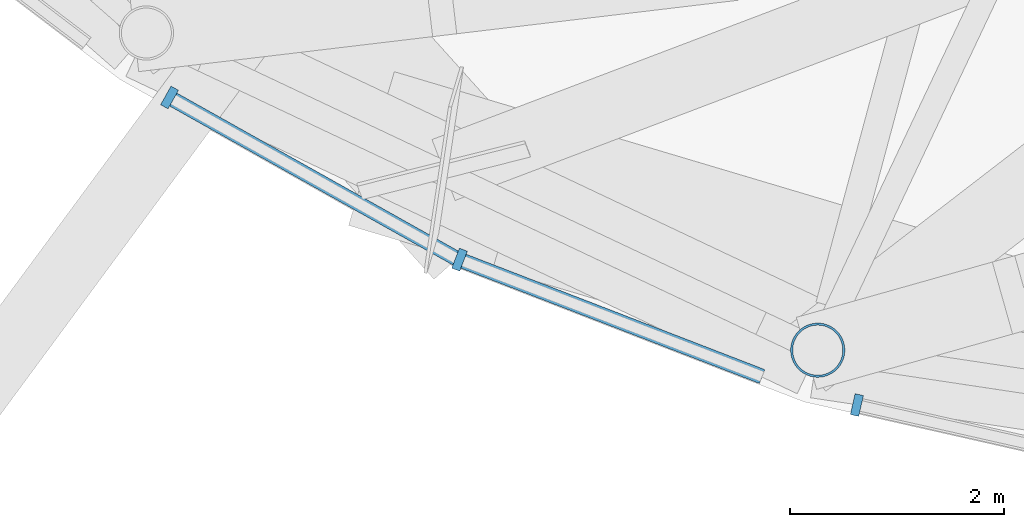
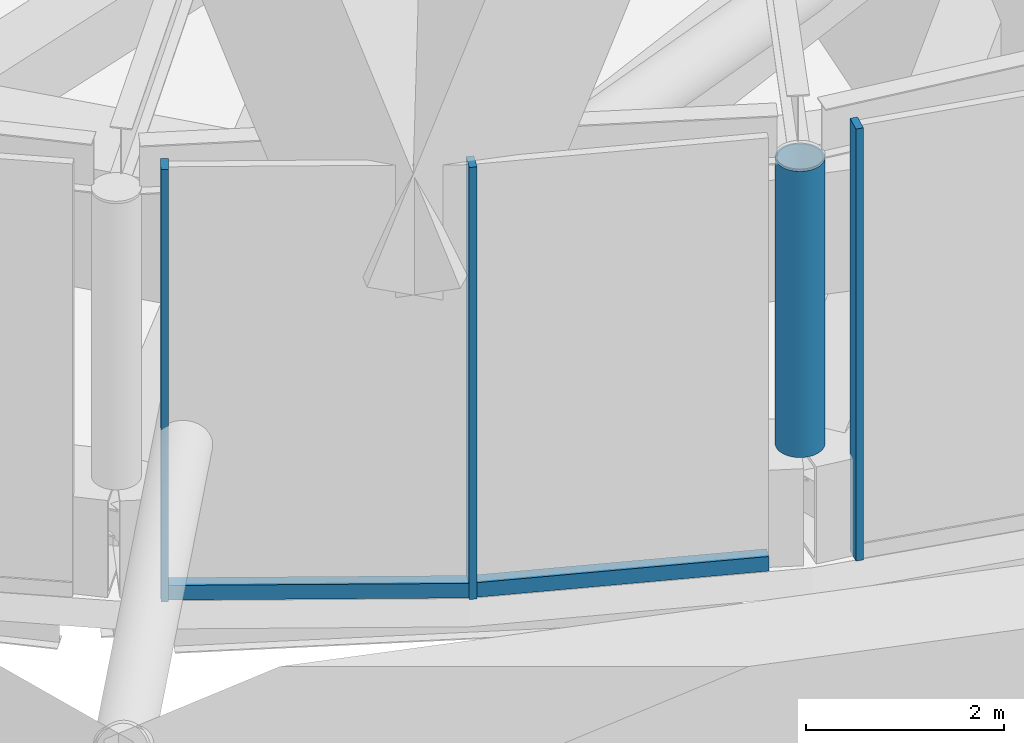
# One storey, part 4 of 49: 6 members, 3 elements without a shape of their own.
"""IFC4 building model written with IfcOpenShell, lengths in metres."""

from ifc_helpers import new_model, si_unit, direction, frame, origin, origin_2d, place, context, subcontext, project, spatial, rectangle, hollow_circle, extrude, material, layer, layer_set, material_profile, profile_set, type_object, element, aggregate, save


model = new_model("IFC4")

# Units and contexts
model_context = context("Model", 3, precision=1e-05, world=origin(), true_north=direction((0.0, 1.0)))
body_context = subcontext(model_context, "Body", "Model", "MODEL_VIEW")
ifc_project = project(units=[si_unit("LENGTHUNIT", "METRE"), si_unit("AREAUNIT", "SQUARE_METRE"), si_unit("VOLUMEUNIT", "CUBIC_METRE"), si_unit("PLANEANGLEUNIT", "RADIAN"), si_unit("MASSUNIT", "GRAM", prefix="KILO")], contexts=[model_context])

# Site, building, storey
site_placement = place(None, origin())
site = spatial("IfcSite", under=ifc_project, at=site_placement, CompositionType="ELEMENT")
building_placement = place(site_placement, origin())
building = spatial("IfcBuilding", under=site, at=building_placement, Name="Nagisa Residences", CompositionType="ELEMENT")
storey_placement = place(building_placement, frame((0.0, 0.0, 160.300048828125)))
storey = spatial("IfcBuildingStorey", under=building, at=storey_placement, Name="L40", CompositionType="ELEMENT", Elevation=160.300048828125)

# Curtain wall, member
ifc_material_1 = material(Name="Aluminium curtain wall system", Category="aluminium")
ifc_layer = layer(ifc_material_1, 0.159912109375)
ifc_layer_set = layer_set([ifc_layer], Name="CW2 CURTAIN WALL")
curtain_wall_type = type_object("IfcCurtainWallType", Name="CW2 CURTAIN WALL", PredefinedType="NOTDEFINED", material=ifc_layer_set)
curtain_wall_1_placement = place(storey_placement, origin())
curtain_wall_1 = element("IfcCurtainWall", 1, at=curtain_wall_1_placement, inside=storey, type_object=curtain_wall_type, Name="cw:CW2:L40:32", PredefinedType="NOTDEFINED")
ifc_material_2 = material(Name="Aluminium", Category="aluminium")
ifc_material_profile_1 = material_profile(ifc_material_2, rectangle(XDim=0.199951171875, YDim=0.080078125, at=origin_2d()), Name="CW2 MULLION 200x80")
ifc_profile_set_1 = profile_set([ifc_material_profile_1], Name="Aluminium")
member_type_1 = type_object("IfcMemberType", Name="CW2 MULLION 200x80", PredefinedType="MULLION", material=ifc_profile_set_1)
member_1_placement = place(storey_placement, frame((-14.60107421875, -29.437255859375, 0.0), z_axis=(0.0, 0.0, 1.0), x_axis=(0.489376918501, 0.872072377523, 0.0)))
member_1 = element("IfcMember", 2, at=member_1_placement, type_object=member_type_1, Name="CW2 mullion", PredefinedType="MULLION", context=body_context, shape_type="SweptSolid", body=[
    extrude(rectangle(XDim=0.199951171875, YDim=0.080078125, at=origin_2d()), origin(), (0.0, 0.0, 1.0), 5.33984375),
])

curtain_wall_2_placement = place(storey_placement, origin())
curtain_wall_2 = element("IfcCurtainWall", 3, at=curtain_wall_2_placement, inside=storey, type_object=curtain_wall_type, Name="cw:CW2:L40:33", PredefinedType="NOTDEFINED")
member_2_placement = place(storey_placement, frame((-11.888427734375, -30.9541015625, 0.0), z_axis=(0.0, 0.0, 1.0), x_axis=(0.360327770268, 0.932825759707, 0.0)))
member_2 = element("IfcMember", 4, at=member_2_placement, type_object=member_type_1, Name="CW2 mullion", PredefinedType="MULLION", context=body_context, shape_type="SweptSolid", body=[
    extrude(rectangle(XDim=0.199951171875, YDim=0.080078125, at=origin_2d()), origin(), (0.0, 0.0, 1.0), 5.33984375),
])

curtain_wall_3_placement = place(storey_placement, origin())
curtain_wall_3 = element("IfcCurtainWall", 5, at=curtain_wall_3_placement, inside=storey, type_object=curtain_wall_type, Name="cw:CW2:L40:34", PredefinedType="NOTDEFINED")
member_3_placement = place(storey_placement, frame((-8.172119140625, -32.31396484375, 0.0), z_axis=(0.0, 0.0, 1.0), x_axis=(0.2207639201, 0.975327274089, 0.0)))
member_3 = element("IfcMember", 6, at=member_3_placement, type_object=member_type_1, Name="CW2 mullion", PredefinedType="MULLION", context=body_context, shape_type="SweptSolid", body=[
    extrude(rectangle(XDim=0.199951171875, YDim=0.080078125, at=origin_2d()), origin(), (0.0, 0.0, 1.0), 5.33984375),
])
aggregate(curtain_wall_3, [member_3])

# Member
ifc_material_3 = material(Name="Aluminium", Category="aluminium")
ifc_material_profile_2 = material_profile(ifc_material_3, rectangle(XDim=0.139892578125, YDim=0.179931640625, at=origin_2d()), Name="CW2 TRANSOM 140x180")
ifc_profile_set_2 = profile_set([ifc_material_profile_2], Name="Aluminium")
member_type_2 = type_object("IfcMemberType", Name="CW2 TRANSOM 140x180", PredefinedType="USERDEFINED", material=ifc_profile_set_2)
member_4_placement = place(storey_placement, frame((-14.635986328125, -29.417724609375, 0.08984375), z_axis=(0.872059959161, -0.489399047433, 0.0), x_axis=(0.489399047433, 0.872059959161, 0.0)))
member_4 = element("IfcMember", 7, at=member_4_placement, type_object=member_type_2, Name="CW2 transom", ObjectType="TRANSOM", PredefinedType="USERDEFINED", context=body_context, shape_type="SweptSolid", body=[
    extrude(rectangle(XDim=0.139892578125, YDim=0.179931640625, at=origin_2d()), origin(), (0.0, 0.0, 1.0), 3.119873046875),
])

aggregate(curtain_wall_1, [member_1, member_4])

member_5_placement = place(storey_placement, frame((-11.92578125, -30.939697265625, 0.08984375), z_axis=(0.932836969826, -0.360298747882, 0.0), x_axis=(0.360298747882, 0.932836969826, 0.0)))
member_5 = element("IfcMember", 8, at=member_5_placement, type_object=member_type_2, Name="CW2 transom", ObjectType="TRANSOM", PredefinedType="USERDEFINED", context=body_context, shape_type="SweptSolid", body=[
    extrude(rectangle(XDim=0.139892578125, YDim=0.179931640625, at=origin_2d()), origin(), (0.0, 0.0, 1.0), 3.07373046875),
])

aggregate(curtain_wall_2, [member_2, member_5])

ifc_material_4 = material(Name="Steel ASTM A572 Gr 65", Category="steel")
ifc_material_profile_3 = material_profile(ifc_material_4, hollow_circle(Radius=0.25390625, WallThickness=0.02001953125, at=origin_2d()), Name="CHS 508x20")
ifc_profile_set_3 = profile_set([ifc_material_profile_3], Name="Steel ASTM A572 Gr 65")
member_type_3 = type_object("IfcMemberType", Name="Garden edge post CHS 508x20", PredefinedType="POST", material=ifc_profile_set_3)
member_6_placement = place(storey_placement, frame((-8.538330078125, -31.80078125, 1.199951171875), z_axis=(0.0, 0.0, 1.0), x_axis=(1.0, 0.0, 0.0)))
element("IfcMember", 9, at=member_6_placement, inside=storey, type_object=member_type_3, Name="mem:L40:gp318", PredefinedType="POST", context=body_context, shape_type="SweptSolid", body=[
    extrude(hollow_circle(Radius=0.25390625, WallThickness=0.02001953125, at=origin_2d()), origin(), (0.0, 0.0, 1.0), 3.537109375),
])

save(model, "model.ifc")
